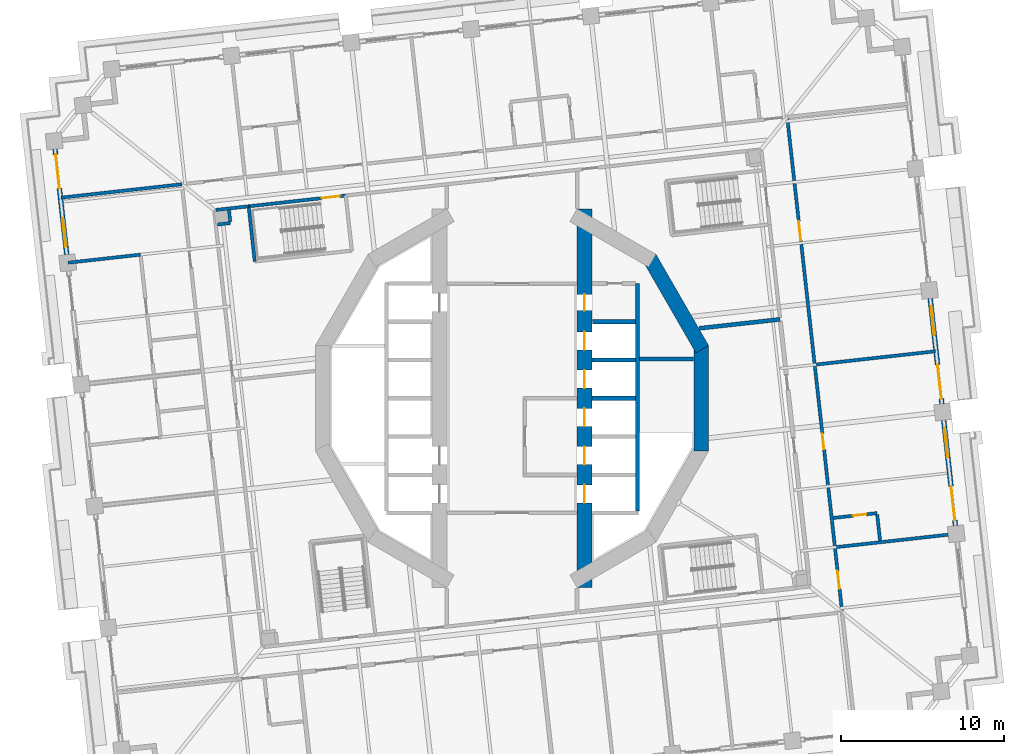
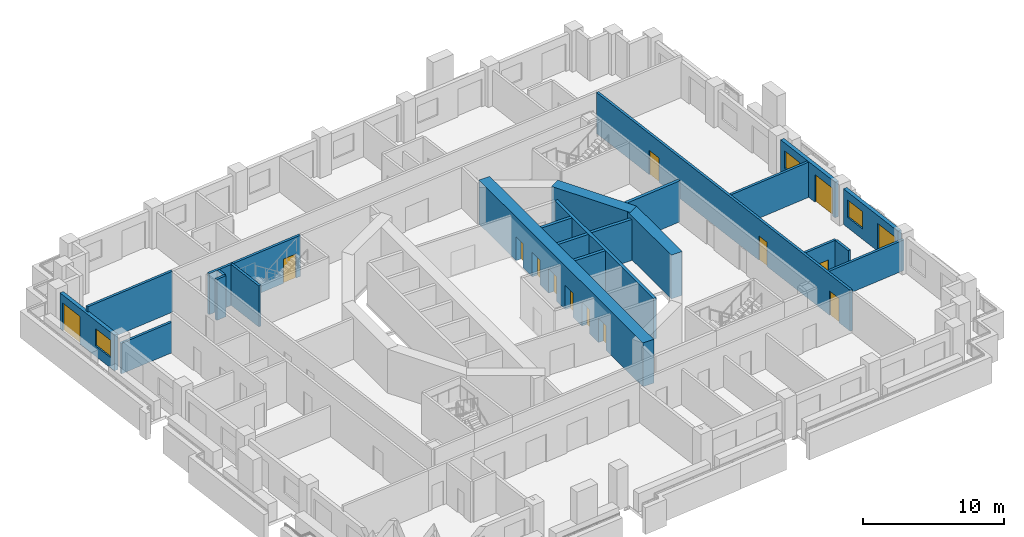
# One storey, part 7 of 18: 24 walls, 14 doors, 3 windows, 17 openings.
"""IFC4 building model written with IfcOpenShell, lengths in metres."""

from ifc_helpers import new_model, si_unit, direction, frame, frame_2d, origin, place, context, subcontext, project, spatial, rectangle, extrude, material, layer, layer_set, type_object, element, fill, save


model = new_model("IFC4")

# Units and contexts
model_context = context("Model", 3, precision=1e-05, world=origin(), true_north=direction((0.0, 1.0)))
body_context = subcontext(model_context, "Body", "Model", "MODEL_VIEW")
ifc_project = project(units=[si_unit("LENGTHUNIT", "METRE"), si_unit("AREAUNIT", "SQUARE_METRE"), si_unit("VOLUMEUNIT", "CUBIC_METRE"), si_unit("PLANEANGLEUNIT", "RADIAN"), si_unit("MASSUNIT", "GRAM", prefix="KILO")], contexts=[model_context])

# Site, building, storey
site_placement = place(None, origin())
site = spatial("IfcSite", under=ifc_project, at=site_placement, CompositionType="ELEMENT")
building_placement = place(site_placement, origin())
building = spatial("IfcBuilding", under=site, at=building_placement, Name="Cantera Rosa Tower", CompositionType="ELEMENT")
storey_placement = place(building_placement, frame((0.0, 0.0, 76.699951171875)))
storey = spatial("IfcBuildingStorey", under=building, at=storey_placement, Name="L16", CompositionType="ELEMENT", Elevation=76.699951171875)

# Wall
ifc_material_1 = material(Name="Gypsum board partition")
ifc_layer_1 = layer(ifc_material_1, 0.199951171875)
ifc_layer_set_1 = layer_set([ifc_layer_1], Name="CORRIDOR WALL 200 H3550")
wall_type_1 = type_object("IfcWallType", Name="CORRIDOR WALL 200 H3550", PredefinedType="PARTITIONING", material=ifc_layer_set_1)
wall_1_placement = place(storey_placement, frame((-16.172607421875, 11.787841796875, 0.0), z_axis=(0.0, 0.0, 1.0), x_axis=(-0.993905752705, -0.110233183482, 0.0)))
element("IfcWall", 1, at=wall_1_placement, inside=storey, type_object=wall_type_1, Name="CORRIDOR WALL L16-017", PredefinedType="PARTITIONING", context=body_context, shape_type="SweptSolid", body=[
    extrude(rectangle(XDim=2.026611328125, YDim=0.199951171875, at=frame_2d((1.01318359375, 0.0))), origin(), (0.0, 0.0, 1.0), 3.550048828125),
])

# Wall, openings, doors
wall_2_placement = place(storey_placement, frame((20.2626953125, -13.04443359375, 0.0), z_axis=(0.0, 0.0, 1.0), x_axis=(-0.110312530755, 0.993896949164, 0.0)))
wall_2 = element("IfcWall", 2, at=wall_2_placement, inside=storey, type_object=wall_type_1, Name="CORRIDOR WALL L16-100", PredefinedType="PARTITIONING", context=body_context, shape_type="SweptSolid", body=[
    extrude(rectangle(XDim=30.400146484375, YDim=0.199951171875, at=frame_2d((15.2001953125, 0.0))), origin(), (0.0, 0.0, 1.0), 3.550048828125),
])
opening_1_placement = place(wall_2_placement, frame((22.8701171875, 0.0, 0.0)))
opening_1 = element("IfcOpeningElement", 3, at=opening_1_placement, cuts=wall_2, Name="Opening L16-016", PredefinedType="OPENING", context=body_context, shape_type="SweptSolid", body=[
    extrude(rectangle(XDim=1.199951171875, YDim=2.10009765625, at=frame_2d((0.60009765625, 1.050048828125))), frame((0.0, 0.10986328125, 0.0), z_axis=(0.0, -1.0, 0.0), x_axis=(1.0, 0.0, 0.0)), (0.0, 0.0, 1.0), 0.219970703125),
])
opening_2_placement = place(wall_2_placement, frame((9.985107421875, 0.0, 0.0)))
opening_2 = element("IfcOpeningElement", 4, at=opening_2_placement, cuts=wall_2, Name="Opening L16-017", PredefinedType="OPENING", context=body_context, shape_type="SweptSolid", body=[
    extrude(rectangle(XDim=0.949951171875, YDim=2.10009765625, at=frame_2d((0.47509765625, 1.050048828125))), frame((0.0, 0.10986328125, 0.0), z_axis=(0.0, -1.0, 0.0), x_axis=(1.0, 0.0, 0.0)), (0.0, 0.0, 1.0), 0.219970703125),
])
opening_3_placement = place(wall_2_placement, frame((1.360107421875, 0.0, 0.0)))
opening_3 = element("IfcOpeningElement", 5, at=opening_3_placement, cuts=wall_2, Name="Opening L16-019", PredefinedType="OPENING", context=body_context, shape_type="SweptSolid", body=[
    extrude(rectangle(XDim=1.10009765625, YDim=2.10009765625, at=frame_2d((0.550048828125, 1.050048828125))), frame((0.0, 0.10986328125, 0.0), z_axis=(0.0, -1.0, 0.0), x_axis=(1.0, 0.0, 0.0)), (0.0, 0.0, 1.0), 0.219970703125),
])
ifc_material_2 = material(Name="Timber door leaf", Category="wood")
door_type_1 = type_object("IfcDoorType", Name="ROOM DOOR 1100x2100", OperationType="NOTDEFINED", PredefinedType="DOOR", material=ifc_material_2)
door_1_placement = place(opening_3_placement, origin())
door_1 = element("IfcDoor", 6, at=door_1_placement, inside=storey, type_object=door_type_1, Name="DOOR L16-019", OperationType="NOTDEFINED", OverallHeight=2.10009765625, OverallWidth=1.10009765625, PredefinedType="DOOR", context=body_context, shape_type="SweptSolid", body=[
    extrude(rectangle(XDim=1.10009765625, YDim=2.10009765625, at=frame_2d((0.550048828125, 1.050048828125))), frame((0.0, 0.02490234375, 0.0), z_axis=(0.0, -1.0, 0.0), x_axis=(1.0, 0.0, 0.0)), (0.0, 0.0, 1.0), 0.050048828125),
])
fill(opening_3, door_1)
ifc_material_3 = material(Name="Timber door leaf", Category="wood")
door_type_2 = type_object("IfcDoorType", Name="ROOM DOOR 1200x2100", OperationType="NOTDEFINED", PredefinedType="DOOR", material=ifc_material_3)
door_2_placement = place(opening_1_placement, origin())
door_2 = element("IfcDoor", 7, at=door_2_placement, inside=storey, type_object=door_type_2, Name="DOOR L16-016", OperationType="NOTDEFINED", OverallHeight=2.10009765625, OverallWidth=1.199951171875, PredefinedType="DOOR", context=body_context, shape_type="SweptSolid", body=[
    extrude(rectangle(XDim=1.199951171875, YDim=2.10009765625, at=frame_2d((0.60009765625, 1.050048828125))), frame((0.0, 0.02490234375, 0.0), z_axis=(0.0, -1.0, 0.0), x_axis=(1.0, 0.0, 0.0)), (0.0, 0.0, 1.0), 0.050048828125),
])
fill(opening_1, door_2)
ifc_material_4 = material(Name="Timber door leaf", Category="wood")
door_type_3 = type_object("IfcDoorType", Name="ROOM DOOR 950x2100", OperationType="NOTDEFINED", PredefinedType="DOOR", material=ifc_material_4)
door_3_placement = place(opening_2_placement, origin())
door_3 = element("IfcDoor", 8, at=door_3_placement, inside=storey, type_object=door_type_3, Name="DOOR L16-017", OperationType="NOTDEFINED", OverallHeight=2.10009765625, OverallWidth=0.949951171875, PredefinedType="DOOR", context=body_context, shape_type="SweptSolid", body=[
    extrude(rectangle(XDim=0.949951171875, YDim=2.10009765625, at=frame_2d((0.47509765625, 1.050048828125))), frame((0.0, 0.02490234375, 0.0), z_axis=(0.0, -1.0, 0.0), x_axis=(1.0, 0.0, 0.0)), (0.0, 0.0, 1.0), 0.050048828125),
])
fill(opening_2, door_3)

# Wall, openings, window, door
ifc_material_5 = material(Name="Hollow clay masonry with cantera stone cladding", Category="masonry")
ifc_layer_2 = layer(ifc_material_5, 0.300048828125)
ifc_layer_set_2 = layer_set([ifc_layer_2], Name="EW-LOGGIA 300 H3090")
wall_type_2 = type_object("IfcWallType", Name="EW-LOGGIA 300 H3090", PredefinedType="SOLIDWALL", material=ifc_layer_set_2)
wall_3_placement = place(storey_placement, frame((27.229248046875, -7.823974609375, 0.0), z_axis=(0.0, 0.0, 1.0), x_axis=(-0.110312341265, 0.993896970196, 0.0)))
wall_3 = element("IfcWall", 9, at=wall_3_placement, inside=storey, type_object=wall_type_2, Name="EN-L16-W02", PredefinedType="SOLIDWALL", context=body_context, shape_type="SweptSolid", body=[
    extrude(rectangle(XDim=6.52001953125, YDim=0.300048828125, at=frame_2d((3.260009765625, 0.0))), origin(), (0.0, 0.0, 1.0), 3.090087890625),
])
opening_4_placement = place(wall_3_placement, frame((0.330078125, 0.0, 0.0)))
opening_4 = element("IfcOpeningElement", 10, at=opening_4_placement, cuts=wall_3, Name="Opening L16-TD03", PredefinedType="OPENING", context=body_context, shape_type="SweptSolid", body=[
    extrude(rectangle(XDim=2.10009765625, YDim=2.39990234375, at=frame_2d((1.050048828125, 1.199951171875))), frame((0.0, 0.159912109375, 0.0), z_axis=(0.0, -1.0, 0.0), x_axis=(1.0, 0.0, 0.0)), (0.0, 0.0, 1.0), 0.320068359375),
])
opening_5_placement = place(wall_3_placement, frame((4.239990234375, 0.0, 0.89990234375)))
opening_5 = element("IfcOpeningElement", 11, at=opening_5_placement, cuts=wall_3, Name="Opening L16-W04", PredefinedType="OPENING", context=body_context, shape_type="SweptSolid", body=[
    extrude(rectangle(XDim=1.800048828125, YDim=1.5, at=frame_2d((0.89990234375, 0.75))), frame((0.0, 0.159912109375, 0.0), z_axis=(0.0, -1.0, 0.0), x_axis=(1.0, 0.0, 0.0)), (0.0, 0.0, 1.0), 0.320068359375),
])
ifc_material_6 = material(Name="Aluminium frame with clear glass", Category="aluminium")
window_type = type_object("IfcWindowType", Name="Hotel room window 1800x1500", PartitioningType="DOUBLE_PANEL_VERTICAL", PredefinedType="WINDOW", material=ifc_material_6)
window_1_placement = place(opening_5_placement, origin())
window_1 = element("IfcWindow", 12, at=window_1_placement, inside=storey, type_object=window_type, Name="WINDOW L16-W04", OverallHeight=1.5, OverallWidth=1.800048828125, PartitioningType="SINGLE_PANEL", PredefinedType="WINDOW", context=body_context, shape_type="SweptSolid", body=[
    extrude(rectangle(XDim=1.800048828125, YDim=1.5, at=frame_2d((0.89990234375, 0.75))), frame((0.0, 0.030029296875, 0.0), z_axis=(0.0, -1.0, 0.0), x_axis=(1.0, 0.0, 0.0)), (0.0, 0.0, 1.0), 0.06005859375),
])
fill(opening_5, window_1)
ifc_material_7 = material(Name="Aluminium frame with clear glass", Category="aluminium")
door_type_4 = type_object("IfcDoorType", Name="TD-H 2100x2400", OperationType="NOTDEFINED", PredefinedType="DOOR", material=ifc_material_7)
door_4_placement = place(opening_4_placement, origin())
door_4 = element("IfcDoor", 13, at=door_4_placement, inside=storey, type_object=door_type_4, Name="LOGGIA DOOR L16-TD03", OperationType="SLIDING_TO_LEFT", OverallHeight=2.39990234375, OverallWidth=2.10009765625, PredefinedType="DOOR", context=body_context, shape_type="SweptSolid", body=[
    extrude(rectangle(XDim=2.10009765625, YDim=2.39990234375, at=frame_2d((1.050048828125, 1.199951171875))), frame((0.0, 0.02490234375, 0.0), z_axis=(0.0, -1.0, 0.0), x_axis=(1.0, 0.0, 0.0)), (0.0, 0.0, 1.0), 0.050048828125),
])
fill(opening_4, door_4)

wall_4_placement = place(storey_placement, frame((26.399658203125, -0.349853515625, 0.0), z_axis=(0.0, 0.0, 1.0), x_axis=(-0.110312341265, 0.993896970196, 0.0)))
wall_4 = element("IfcWall", 14, at=wall_4_placement, inside=storey, type_object=wall_type_2, Name="EN-L16-W03", PredefinedType="SOLIDWALL", context=body_context, shape_type="SweptSolid", body=[
    extrude(rectangle(XDim=6.52001953125, YDim=0.300048828125, at=frame_2d((3.260009765625, 0.0))), origin(), (0.0, 0.0, 1.0), 3.090087890625),
])
opening_6_placement = place(wall_4_placement, frame((0.330078125, 0.0, 0.0)))
opening_6 = element("IfcOpeningElement", 15, at=opening_6_placement, cuts=wall_4, Name="Opening L16-TD05", PredefinedType="OPENING", context=body_context, shape_type="SweptSolid", body=[
    extrude(rectangle(XDim=2.10009765625, YDim=2.39990234375, at=frame_2d((1.050048828125, 1.199951171875))), frame((0.0, 0.159912109375, 0.0), z_axis=(0.0, -1.0, 0.0), x_axis=(1.0, 0.0, 0.0)), (0.0, 0.0, 1.0), 0.320068359375),
])
opening_7_placement = place(wall_4_placement, frame((4.239990234375, 0.0, 0.89990234375)))
opening_7 = element("IfcOpeningElement", 16, at=opening_7_placement, cuts=wall_4, Name="Opening L16-W06", PredefinedType="OPENING", context=body_context, shape_type="SweptSolid", body=[
    extrude(rectangle(XDim=1.800048828125, YDim=1.5, at=frame_2d((0.89990234375, 0.75))), frame((0.0, 0.159912109375, 0.0), z_axis=(0.0, -1.0, 0.0), x_axis=(1.0, 0.0, 0.0)), (0.0, 0.0, 1.0), 0.320068359375),
])
window_2_placement = place(opening_7_placement, origin())
window_2 = element("IfcWindow", 17, at=window_2_placement, inside=storey, type_object=window_type, Name="WINDOW L16-W06", OverallHeight=1.5, OverallWidth=1.800048828125, PartitioningType="SINGLE_PANEL", PredefinedType="WINDOW", context=body_context, shape_type="SweptSolid", body=[
    extrude(rectangle(XDim=1.800048828125, YDim=1.5, at=frame_2d((0.89990234375, 0.75))), frame((0.0, 0.030029296875, 0.0), z_axis=(0.0, -1.0, 0.0), x_axis=(1.0, 0.0, 0.0)), (0.0, 0.0, 1.0), 0.06005859375),
])
fill(opening_7, window_2)
door_5_placement = place(opening_6_placement, origin())
door_5 = element("IfcDoor", 18, at=door_5_placement, inside=storey, type_object=door_type_4, Name="LOGGIA DOOR L16-TD05", OperationType="SLIDING_TO_LEFT", OverallHeight=2.39990234375, OverallWidth=2.10009765625, PredefinedType="DOOR", context=body_context, shape_type="SweptSolid", body=[
    extrude(rectangle(XDim=2.10009765625, YDim=2.39990234375, at=frame_2d((1.050048828125, 1.199951171875))), frame((0.0, 0.02490234375, 0.0), z_axis=(0.0, -1.0, 0.0), x_axis=(1.0, 0.0, 0.0)), (0.0, 0.0, 1.0), 0.050048828125),
])
fill(opening_6, door_5)

wall_5_placement = place(storey_placement, frame((-28.058837890625, 15.298095703125, 0.0), z_axis=(0.0, 0.0, 1.0), x_axis=(0.110312341265, -0.993896970196, 0.0)))
wall_5 = element("IfcWall", 19, at=wall_5_placement, inside=storey, type_object=wall_type_2, Name="EN-L16-W16", PredefinedType="SOLIDWALL", context=body_context, shape_type="SweptSolid", body=[
    extrude(rectangle(XDim=6.52001953125, YDim=0.300048828125, at=frame_2d((3.260009765625, 0.0))), origin(), (0.0, 0.0, 1.0), 3.090087890625),
])
opening_8_placement = place(wall_5_placement, frame((0.330078125, 0.0, 0.0)))
opening_8 = element("IfcOpeningElement", 20, at=opening_8_placement, cuts=wall_5, Name="Opening L16-TD23", PredefinedType="OPENING", context=body_context, shape_type="SweptSolid", body=[
    extrude(rectangle(XDim=2.10009765625, YDim=2.39990234375, at=frame_2d((1.050048828125, 1.199951171875))), frame((0.0, 0.159912109375, 0.0), z_axis=(0.0, -1.0, 0.0), x_axis=(1.0, 0.0, 0.0)), (0.0, 0.0, 1.0), 0.320068359375),
])
opening_9_placement = place(wall_5_placement, frame((4.239990234375, 0.0, 0.89990234375)))
opening_9 = element("IfcOpeningElement", 21, at=opening_9_placement, cuts=wall_5, Name="Opening L16-W24", PredefinedType="OPENING", context=body_context, shape_type="SweptSolid", body=[
    extrude(rectangle(XDim=1.800048828125, YDim=1.5, at=frame_2d((0.89990234375, 0.75))), frame((0.0, 0.159912109375, 0.0), z_axis=(0.0, -1.0, 0.0), x_axis=(1.0, 0.0, 0.0)), (0.0, 0.0, 1.0), 0.320068359375),
])
window_3_placement = place(opening_9_placement, origin())
window_3 = element("IfcWindow", 22, at=window_3_placement, inside=storey, type_object=window_type, Name="WINDOW L16-W24", OverallHeight=1.5, OverallWidth=1.800048828125, PartitioningType="SINGLE_PANEL", PredefinedType="WINDOW", context=body_context, shape_type="SweptSolid", body=[
    extrude(rectangle(XDim=1.800048828125, YDim=1.5, at=frame_2d((0.89990234375, 0.75))), frame((0.0, 0.030029296875, 0.0), z_axis=(0.0, -1.0, 0.0), x_axis=(1.0, 0.0, 0.0)), (0.0, 0.0, 1.0), 0.06005859375),
])
fill(opening_9, window_3)
door_6_placement = place(opening_8_placement, origin())
door_6 = element("IfcDoor", 23, at=door_6_placement, inside=storey, type_object=door_type_4, Name="LOGGIA DOOR L16-TD23", OperationType="SLIDING_TO_LEFT", OverallHeight=2.39990234375, OverallWidth=2.10009765625, PredefinedType="DOOR", context=body_context, shape_type="SweptSolid", body=[
    extrude(rectangle(XDim=2.10009765625, YDim=2.39990234375, at=frame_2d((1.050048828125, 1.199951171875))), frame((0.0, 0.02490234375, 0.0), z_axis=(0.0, -1.0, 0.0), x_axis=(1.0, 0.0, 0.0)), (0.0, 0.0, 1.0), 0.050048828125),
])
fill(opening_8, door_6)

# Walls
ifc_material_8 = material(Name="Gypsum board partition")
ifc_layer_3 = layer(ifc_material_8, 0.199951171875)
ifc_layer_set_3 = layer_set([ifc_layer_3], Name="PARTITION 200 H2650")
wall_type_3 = type_object("IfcWallType", Name="PARTITION 200 H2650", PredefinedType="PARTITIONING", material=ifc_layer_set_3)
wall_6_placement = place(storey_placement, frame((-27.254638671875, 8.32421875, 0.0), z_axis=(0.0, 0.0, 1.0), x_axis=(0.993895052822, 0.11032961514, 0.0)))
element("IfcWall", 24, at=wall_6_placement, inside=storey, type_object=wall_type_3, Name="PARTITION L16-001", PredefinedType="PARTITIONING", context=body_context, shape_type="SweptSolid", body=[
    extrude(rectangle(XDim=4.469970703125, YDim=0.199951171875, at=frame_2d((2.23486328125, 0.0))), origin(), (0.0, 0.0, 1.0), 2.650146484375),
])
ifc_material_9 = material(Name="Gypsum board partition")
ifc_layer_4 = layer(ifc_material_9, 0.199951171875)
ifc_layer_set_4 = layer_set([ifc_layer_4], Name="PARTITION 200 H3550")
wall_type_4 = type_object("IfcWallType", Name="PARTITION 200 H3550", PredefinedType="PARTITIONING", material=ifc_layer_set_4)
wall_7_placement = place(storey_placement, frame((-18.08740234375, 10.669921875, 0.0), z_axis=(0.0, 0.0, 1.0), x_axis=(0.993913470482, 0.110163574714, 0.0)))
element("IfcWall", 25, at=wall_7_placement, inside=storey, type_object=wall_type_4, Name="PARTITION L16-011", PredefinedType="PARTITIONING", context=body_context, shape_type="SweptSolid", body=[
    extrude(rectangle(XDim=0.800048828125, YDim=0.199951171875, at=frame_2d((0.39990234375, 0.0))), origin(), (0.0, 0.0, 1.0), 3.550048828125),
])
wall_8_placement = place(storey_placement, frame((-17.30322265625, 10.857421875, 0.0), z_axis=(0.0, 0.0, 1.0), x_axis=(-0.110546349969, 0.993870969748, 0.0)))
element("IfcWall", 26, at=wall_8_placement, inside=storey, type_object=wall_type_4, Name="PARTITION L16-013", PredefinedType="PARTITIONING", context=body_context, shape_type="SweptSolid", body=[
    extrude(rectangle(XDim=0.7001953125, YDim=0.199951171875, at=frame_2d((0.35009765625, 0.0))), origin(), (0.0, 0.0, 1.0), 3.550048828125),
])

# Wall, opening, door
wall_9_placement = place(storey_placement, frame((19.73095703125, -7.348388671875, 0.0), z_axis=(0.0, 0.0, 1.0), x_axis=(0.993887042245, 0.110401753874, 0.0)))
wall_9 = element("IfcWall", 27, at=wall_9_placement, inside=storey, type_object=wall_type_4, Name="PARTITION L16-099", PredefinedType="PARTITIONING", context=body_context, shape_type="SweptSolid", body=[
    extrude(rectangle(XDim=2.7001953125, YDim=0.199951171875, at=frame_2d((1.35009765625, 0.0))), origin(), (0.0, 0.0, 1.0), 3.550048828125),
])
opening_10_placement = place(wall_9_placement, frame((1.236083984375, 0.0, 0.0)))
opening_10 = element("IfcOpeningElement", 28, at=opening_10_placement, cuts=wall_9, Name="Opening L16-018", PredefinedType="OPENING", context=body_context, shape_type="SweptSolid", body=[
    extrude(rectangle(XDim=0.800048828125, YDim=2.10009765625, at=frame_2d((0.39990234375, 1.050048828125))), frame((0.0, 0.10986328125, 0.0), z_axis=(0.0, -1.0, 0.0), x_axis=(1.0, 0.0, 0.0)), (0.0, 0.0, 1.0), 0.219970703125),
])
ifc_material_10 = material(Name="Timber door leaf", Category="wood")
door_type_5 = type_object("IfcDoorType", Name="BATHROOM DOOR 800x2100", OperationType="NOTDEFINED", PredefinedType="DOOR", material=ifc_material_10)
door_7_placement = place(opening_10_placement, origin())
door_7 = element("IfcDoor", 29, at=door_7_placement, inside=storey, type_object=door_type_5, Name="DOOR L16-018", OperationType="NOTDEFINED", OverallHeight=2.10009765625, OverallWidth=0.800048828125, PredefinedType="DOOR", context=body_context, shape_type="SweptSolid", body=[
    extrude(rectangle(XDim=0.800048828125, YDim=2.10009765625, at=frame_2d((0.39990234375, 1.050048828125))), frame((0.0, 0.02490234375, 0.0), z_axis=(0.0, -1.0, 0.0), x_axis=(1.0, 0.0, 0.0)), (0.0, 0.0, 1.0), 0.050048828125),
])
fill(opening_10, door_7)

# Walls
wall_10_placement = place(storey_placement, frame((22.425537109375, -7.14990234375, 0.0), z_axis=(0.0, 0.0, 1.0), x_axis=(0.110331031706, -0.993894895571, 0.0)))
element("IfcWall", 30, at=wall_10_placement, inside=storey, type_object=wall_type_4, Name="PARTITION L16-102", PredefinedType="PARTITIONING", context=body_context, shape_type="SweptSolid", body=[
    extrude(rectangle(XDim=1.599853515625, YDim=0.199951171875, at=frame_2d((0.7998046875, 0.0))), origin(), (0.0, 0.0, 1.0), 3.550048828125),
])
ifc_material_11 = material(Name="Gypsum board partition")
ifc_layer_5 = layer(ifc_material_11, 0.199951171875)
ifc_layer_set_5 = layer_set([ifc_layer_5], Name="PARTY WALL 200 H2650")
wall_type_5 = type_object("IfcWallType", Name="PARTY WALL 200 H2650", PredefinedType="PARTITIONING", material=ifc_layer_set_5)
wall_11_placement = place(storey_placement, frame((27.254638671875, -8.32421875, 0.0), z_axis=(0.0, 0.0, 1.0), x_axis=(-0.993897058864, -0.11031154238, 0.0)))
element("IfcWall", 31, at=wall_11_placement, inside=storey, type_object=wall_type_5, Name="PARTY WALL L16-103", PredefinedType="PARTITIONING", context=body_context, shape_type="SweptSolid", body=[
    extrude(rectangle(XDim=7.369873046875, YDim=0.199951171875, at=frame_2d((3.68505859375, 0.0))), origin(), (0.0, 0.0, 1.0), 2.650146484375),
])
ifc_material_12 = material(Name="Gypsum board partition")
ifc_layer_6 = layer(ifc_material_12, 0.199951171875)
ifc_layer_set_6 = layer_set([ifc_layer_6], Name="PARTY WALL 200 H3050")
wall_type_6 = type_object("IfcWallType", Name="PARTY WALL 200 H3050", PredefinedType="PARTITIONING", material=ifc_layer_set_6)
wall_12_placement = place(storey_placement, frame((18.685302734375, 2.073974609375, 0.0), z_axis=(0.0, 0.0, 1.0), x_axis=(0.993897058864, 0.11031154238, 0.0)))
element("IfcWall", 32, at=wall_12_placement, inside=storey, type_object=wall_type_6, Name="PARTY WALL L16-098", PredefinedType="PARTITIONING", context=body_context, shape_type="SweptSolid", body=[
    extrude(rectangle(XDim=7.369873046875, YDim=0.199951171875, at=frame_2d((3.68505859375, 0.0))), origin(), (0.0, 0.0, 1.0), 3.050048828125),
])
ifc_material_13 = material(Name="Gypsum board partition")
ifc_layer_7 = layer(ifc_material_13, 0.199951171875)
ifc_layer_set_7 = layer_set([ifc_layer_7], Name="PARTY WALL 200 H3550")
wall_type_7 = type_object("IfcWallType", Name="PARTY WALL 200 H3550", PredefinedType="PARTITIONING", material=ifc_layer_set_7)
wall_13_placement = place(storey_placement, frame((-20.273681640625, 13.143798828125, 0.0), z_axis=(0.0, 0.0, 1.0), x_axis=(-0.993894093242, -0.110338259085, 0.0)))
element("IfcWall", 33, at=wall_13_placement, inside=storey, type_object=wall_type_7, Name="PARTY WALL L16-006", PredefinedType="PARTITIONING", context=body_context, shape_type="SweptSolid", body=[
    extrude(rectangle(XDim=7.469970703125, YDim=0.199951171875, at=frame_2d((3.73486328125, 0.0))), origin(), (0.0, 0.0, 1.0), 3.550048828125),
])
ifc_material_14 = material(Name="Concrete C70/85", Category="concrete")
ifc_layer_8 = layer(ifc_material_14, 0.89990234375)
ifc_layer_set_8 = layer_set([ifc_layer_8], Name="RC CORE WALL 900 C70/85")
wall_type_8 = type_object("IfcWallType", Name="RC CORE WALL 900 C70/85", PredefinedType="SHEAR", material=ifc_layer_set_8)
wall_14_placement = place(storey_placement, frame((8.44921875, 8.61376953125, 0.0), z_axis=(0.0, 0.0, 1.0), x_axis=(0.499990282633, -0.866031014036, 0.0)))
element("IfcWall", 34, at=wall_14_placement, inside=storey, type_object=wall_type_8, Name="CW-E2 L16", PredefinedType="SHEAR", context=body_context, shape_type="SweptSolid", body=[
    extrude(rectangle(XDim=6.470458984375, YDim=0.89990234375, at=frame_2d((3.2353515625, 0.0))), origin(), (0.0, 0.0, 1.0), 3.800048828125),
])
wall_15_placement = place(storey_placement, frame((11.6240234375, 3.2353515625, 0.0), z_axis=(0.0, 0.0, 1.0), x_axis=(0.0, -1.0, 0.0)))
element("IfcWall", 35, at=wall_15_placement, inside=storey, type_object=wall_type_8, Name="CW-E3 L16", PredefinedType="SHEAR", context=body_context, shape_type="SweptSolid", body=[
    extrude(rectangle(XDim=6.470703125, YDim=0.89990234375, at=frame_2d((3.2353515625, 0.0))), origin(), (0.0, 0.0, 1.0), 3.800048828125),
])

# Wall, openings, doors
wall_16_placement = place(storey_placement, frame((4.449951171875, -11.632568359375, 0.0), z_axis=(0.0, 0.0, 1.0), x_axis=(0.0, 1.0, 0.0)))
wall_16 = element("IfcWall", 36, at=wall_16_placement, inside=storey, type_object=wall_type_8, Name="CW-E6 L16", PredefinedType="SHEAR", context=body_context, shape_type="SweptSolid", body=[
    extrude(rectangle(XDim=23.26513671875, YDim=0.89990234375, at=frame_2d((11.632568359375, 0.0))), origin(), (0.0, 0.0, 1.0), 3.800048828125),
])
opening_11_placement = place(wall_16_placement, frame((7.5576171875, 0.0, 0.0)))
opening_11 = element("IfcOpeningElement", 37, at=opening_11_placement, cuts=wall_16, Name="Opening LD-FF1-L16", PredefinedType="OPENING", context=body_context, shape_type="SweptSolid", body=[
    extrude(rectangle(XDim=1.10009765625, YDim=2.10009765625, at=frame_2d((0.550048828125, 1.050048828125))), frame((0.0, 0.4599609375, 0.0), z_axis=(0.0, -1.0, 0.0), x_axis=(1.0, 0.0, 0.0)), (0.0, 0.0, 1.0), 0.919921875),
])
opening_12_placement = place(wall_16_placement, frame((9.907470703125, 0.0, 0.0)))
opening_12 = element("IfcOpeningElement", 38, at=opening_12_placement, cuts=wall_16, Name="Opening LD-FF2-L16", PredefinedType="OPENING", context=body_context, shape_type="SweptSolid", body=[
    extrude(rectangle(XDim=1.10009765625, YDim=2.10009765625, at=frame_2d((0.550048828125, 1.050048828125))), frame((0.0, 0.4599609375, 0.0), z_axis=(0.0, -1.0, 0.0), x_axis=(1.0, 0.0, 0.0)), (0.0, 0.0, 1.0), 0.919921875),
])
opening_13_placement = place(wall_16_placement, frame((12.257568359375, 0.0, 0.0)))
opening_13 = element("IfcOpeningElement", 39, at=opening_13_placement, cuts=wall_16, Name="Opening LD-P1-L16", PredefinedType="OPENING", context=body_context, shape_type="SweptSolid", body=[
    extrude(rectangle(XDim=1.10009765625, YDim=2.10009765625, at=frame_2d((0.550048828125, 1.050048828125))), frame((0.0, 0.4599609375, 0.0), z_axis=(0.0, -1.0, 0.0), x_axis=(1.0, 0.0, 0.0)), (0.0, 0.0, 1.0), 0.919921875),
])
opening_14_placement = place(wall_16_placement, frame((14.607421875, 0.0, 0.0)))
opening_14 = element("IfcOpeningElement", 40, at=opening_14_placement, cuts=wall_16, Name="Opening LD-P2-L16", PredefinedType="OPENING", context=body_context, shape_type="SweptSolid", body=[
    extrude(rectangle(XDim=1.10009765625, YDim=2.10009765625, at=frame_2d((0.550048828125, 1.050048828125))), frame((0.0, 0.4599609375, 0.0), z_axis=(0.0, -1.0, 0.0), x_axis=(1.0, 0.0, 0.0)), (0.0, 0.0, 1.0), 0.919921875),
])
opening_15_placement = place(wall_16_placement, frame((5.20751953125, 0.0, 0.0)))
opening_15 = element("IfcOpeningElement", 41, at=opening_15_placement, cuts=wall_16, Name="Opening LD-P6-L16", PredefinedType="OPENING", context=body_context, shape_type="SweptSolid", body=[
    extrude(rectangle(XDim=1.10009765625, YDim=2.10009765625, at=frame_2d((0.550048828125, 1.050048828125))), frame((0.0, 0.4599609375, 0.0), z_axis=(0.0, -1.0, 0.0), x_axis=(1.0, 0.0, 0.0)), (0.0, 0.0, 1.0), 0.919921875),
])
opening_16_placement = place(wall_16_placement, frame((17.007568359375, 0.0, 0.0)))
opening_16 = element("IfcOpeningElement", 42, at=opening_16_placement, cuts=wall_16, Name="Opening SD-L16-15", PredefinedType="OPENING", context=body_context, shape_type="SweptSolid", body=[
    extrude(rectangle(XDim=1.0, YDim=2.10009765625, at=frame_2d((0.5, 1.050048828125))), frame((0.0, 0.4599609375, 0.0), z_axis=(0.0, -1.0, 0.0), x_axis=(1.0, 0.0, 0.0)), (0.0, 0.0, 1.0), 0.919921875),
])
ifc_material_15 = material(Name="Steel S355J2 (EN 10025-2)", Category="steel")
door_type_6 = type_object("IfcDoorType", Name="LANDING DOOR 1100x2100", OperationType="NOTDEFINED", PredefinedType="DOOR", material=ifc_material_15)
door_8_placement = place(opening_11_placement, origin())
door_8 = element("IfcDoor", 43, at=door_8_placement, inside=storey, type_object=door_type_6, Name="LANDING DOOR FF1 L16", OperationType="SLIDING_TO_LEFT", OverallHeight=2.10009765625, OverallWidth=1.10009765625, PredefinedType="DOOR", context=body_context, shape_type="SweptSolid", body=[
    extrude(rectangle(XDim=1.10009765625, YDim=2.10009765625, at=frame_2d((0.550048828125, 1.050048828125))), frame((0.0, 0.02490234375, 0.0), z_axis=(0.0, -1.0, 0.0), x_axis=(1.0, 0.0, 0.0)), (0.0, 0.0, 1.0), 0.050048828125),
])
fill(opening_11, door_8)
door_9_placement = place(opening_12_placement, origin())
door_9 = element("IfcDoor", 44, at=door_9_placement, inside=storey, type_object=door_type_6, Name="LANDING DOOR FF2 L16", OperationType="SLIDING_TO_LEFT", OverallHeight=2.10009765625, OverallWidth=1.10009765625, PredefinedType="DOOR", context=body_context, shape_type="SweptSolid", body=[
    extrude(rectangle(XDim=1.10009765625, YDim=2.10009765625, at=frame_2d((0.550048828125, 1.050048828125))), frame((0.0, 0.02490234375, 0.0), z_axis=(0.0, -1.0, 0.0), x_axis=(1.0, 0.0, 0.0)), (0.0, 0.0, 1.0), 0.050048828125),
])
fill(opening_12, door_9)
door_10_placement = place(opening_13_placement, origin())
door_10 = element("IfcDoor", 45, at=door_10_placement, inside=storey, type_object=door_type_6, Name="LANDING DOOR P1 L16", OperationType="SLIDING_TO_LEFT", OverallHeight=2.10009765625, OverallWidth=1.10009765625, PredefinedType="DOOR", context=body_context, shape_type="SweptSolid", body=[
    extrude(rectangle(XDim=1.10009765625, YDim=2.10009765625, at=frame_2d((0.550048828125, 1.050048828125))), frame((0.0, 0.02490234375, 0.0), z_axis=(0.0, -1.0, 0.0), x_axis=(1.0, 0.0, 0.0)), (0.0, 0.0, 1.0), 0.050048828125),
])
fill(opening_13, door_10)
door_11_placement = place(opening_14_placement, origin())
door_11 = element("IfcDoor", 46, at=door_11_placement, inside=storey, type_object=door_type_6, Name="LANDING DOOR P2 L16", OperationType="SLIDING_TO_LEFT", OverallHeight=2.10009765625, OverallWidth=1.10009765625, PredefinedType="DOOR", context=body_context, shape_type="SweptSolid", body=[
    extrude(rectangle(XDim=1.10009765625, YDim=2.10009765625, at=frame_2d((0.550048828125, 1.050048828125))), frame((0.0, 0.02490234375, 0.0), z_axis=(0.0, -1.0, 0.0), x_axis=(1.0, 0.0, 0.0)), (0.0, 0.0, 1.0), 0.050048828125),
])
fill(opening_14, door_11)
door_12_placement = place(opening_15_placement, origin())
door_12 = element("IfcDoor", 47, at=door_12_placement, inside=storey, type_object=door_type_6, Name="LANDING DOOR P6 L16", OperationType="SLIDING_TO_LEFT", OverallHeight=2.10009765625, OverallWidth=1.10009765625, PredefinedType="DOOR", context=body_context, shape_type="SweptSolid", body=[
    extrude(rectangle(XDim=1.10009765625, YDim=2.10009765625, at=frame_2d((0.550048828125, 1.050048828125))), frame((0.0, 0.02490234375, 0.0), z_axis=(0.0, -1.0, 0.0), x_axis=(1.0, 0.0, 0.0)), (0.0, 0.0, 1.0), 0.050048828125),
])
fill(opening_15, door_12)
ifc_material_16 = material(Name="Timber door leaf", Category="wood")
door_type_7 = type_object("IfcDoorType", Name="SERVICE DOOR 1000x2100", OperationType="NOTDEFINED", PredefinedType="DOOR", material=ifc_material_16)
door_13_placement = place(opening_16_placement, origin())
door_13 = element("IfcDoor", 48, at=door_13_placement, inside=storey, type_object=door_type_7, Name="DOOR L16-SD15", OperationType="NOTDEFINED", OverallHeight=2.10009765625, OverallWidth=1.0, PredefinedType="DOOR", context=body_context, shape_type="SweptSolid", body=[
    extrude(rectangle(XDim=1.0, YDim=2.10009765625, at=frame_2d((0.5, 1.050048828125))), frame((0.0, 0.02490234375, 0.0), z_axis=(0.0, -1.0, 0.0), x_axis=(1.0, 0.0, 0.0)), (0.0, 0.0, 1.0), 0.050048828125),
])
fill(opening_16, door_13)

# Walls
ifc_material_17 = material(Name="Masonry blockwork", Category="masonry")
ifc_layer_9 = layer(ifc_material_17, 0.25)
ifc_layer_set_9 = layer_set([ifc_layer_9], Name="SHAFT WALL 250 H3550")
wall_type_9 = type_object("IfcWallType", Name="SHAFT WALL 250 H3550", PredefinedType="SOLIDWALL", material=ifc_layer_set_9)
wall_17_placement = place(storey_placement, frame((4.89990234375, 0.0, 0.0), z_axis=(0.0, 0.0, 1.0), x_axis=(1.0, 0.0, 0.0)))
element("IfcWall", 49, at=wall_17_placement, inside=storey, type_object=wall_type_9, Name="SHAFT WALL L16-062", PredefinedType="SOLIDWALL", context=body_context, shape_type="SweptSolid", body=[
    extrude(rectangle(XDim=2.675048828125, YDim=0.25, at=frame_2d((1.33740234375, 0.0))), origin(), (0.0, 0.0, 1.0), 3.550048828125),
])
wall_18_placement = place(storey_placement, frame((7.699951171875, -6.929931640625, 0.0), z_axis=(0.0, 0.0, 1.0), x_axis=(0.0, 1.0, 0.0)))
element("IfcWall", 50, at=wall_18_placement, inside=storey, type_object=wall_type_9, Name="SHAFT WALL L16-065", PredefinedType="SOLIDWALL", context=body_context, shape_type="SweptSolid", body=[
    extrude(rectangle(XDim=13.97998046875, YDim=0.25, at=frame_2d((6.989990234375, 0.0))), origin(), (0.0, 0.0, 1.0), 3.550048828125),
])
wall_19_placement = place(storey_placement, frame((7.574951171875, 2.35009765625, 0.0), z_axis=(0.0, 0.0, 1.0), x_axis=(-1.0, 0.0, 0.0)))
element("IfcWall", 51, at=wall_19_placement, inside=storey, type_object=wall_type_9, Name="SHAFT WALL L16-067", PredefinedType="SOLIDWALL", context=body_context, shape_type="SweptSolid", body=[
    extrude(rectangle(XDim=2.675048828125, YDim=0.25, at=frame_2d((1.33740234375, 0.0))), origin(), (0.0, 0.0, 1.0), 3.550048828125),
])
wall_20_placement = place(storey_placement, frame((7.824951171875, 2.417724609375, 0.0), z_axis=(0.0, 0.0, 1.0), x_axis=(1.0, 0.0, 0.0)))
element("IfcWall", 52, at=wall_20_placement, inside=storey, type_object=wall_type_9, Name="SHAFT WALL L16-068", PredefinedType="SOLIDWALL", context=body_context, shape_type="SweptSolid", body=[
    extrude(rectangle(XDim=3.319091796875, YDim=0.25, at=frame_2d((1.65966796875, 0.0))), origin(), (0.0, 0.0, 1.0), 3.550048828125),
])
wall_21_placement = place(storey_placement, frame((7.574951171875, 4.699951171875, 0.0), z_axis=(0.0, 0.0, 1.0), x_axis=(-1.0, 0.0, 0.0)))
element("IfcWall", 53, at=wall_21_placement, inside=storey, type_object=wall_type_9, Name="SHAFT WALL L16-069", PredefinedType="SOLIDWALL", context=body_context, shape_type="SweptSolid", body=[
    extrude(rectangle(XDim=2.64501953125, YDim=0.25, at=frame_2d((1.322509765625, 0.0))), origin(), (0.0, 0.0, 1.0), 3.550048828125),
])
wall_22_placement = place(storey_placement, frame((16.4658203125, 4.845947265625, 0.0), z_axis=(0.0, 0.0, 1.0), x_axis=(-0.993895640521, -0.110324320767, 0.0)))
element("IfcWall", 54, at=wall_22_placement, inside=storey, type_object=wall_type_9, Name="SHAFT WALL L16-089", PredefinedType="SOLIDWALL", context=body_context, shape_type="SweptSolid", body=[
    extrude(rectangle(XDim=4.9990234375, YDim=0.25, at=frame_2d((2.49951171875, 0.0))), origin(), (0.0, 0.0, 1.0), 3.550048828125),
])
ifc_material_18 = material(Name="Concrete C50/60", Category="concrete")
ifc_layer_10 = layer(ifc_material_18, 0.199951171875)
ifc_layer_set_10 = layer_set([ifc_layer_10], Name="STAIR WALL 200 H3550")
wall_type_10 = type_object("IfcWallType", Name="STAIR WALL 200 H3550", PredefinedType="SOLIDWALL", material=ifc_layer_set_10)
wall_23_placement = place(storey_placement, frame((-16.172607421875, 11.787841796875, 0.0), z_axis=(0.0, 0.0, 1.0), x_axis=(0.110368557057, -0.993890729212, 0.0)))
element("IfcWall", 55, at=wall_23_placement, inside=storey, type_object=wall_type_10, Name="STAIR WALL L16-018", PredefinedType="SOLIDWALL", context=body_context, shape_type="SweptSolid", body=[
    extrude(rectangle(XDim=3.404296875, YDim=0.199951171875, at=frame_2d((1.7021484375, 0.0))), origin(), (0.0, 0.0, 1.0), 3.550048828125),
])

# Wall, opening, door
wall_24_placement = place(storey_placement, frame((-10.208984375, 12.44970703125, 0.0), z_axis=(0.0, 0.0, 1.0), x_axis=(-0.993897620437, -0.11030648254, 0.0)))
wall_24 = element("IfcWall", 56, at=wall_24_placement, inside=storey, type_object=wall_type_10, Name="STAIR WALL L16-032", PredefinedType="SOLIDWALL", context=body_context, shape_type="SweptSolid", body=[
    extrude(rectangle(XDim=6.000244140625, YDim=0.199951171875, at=frame_2d((3.0, 0.0))), origin(), (0.0, 0.0, 1.0), 3.550048828125),
])
opening_17_placement = place(wall_24_placement, frame((0.375, 0.0, 0.0)))
opening_17 = element("IfcOpeningElement", 57, at=opening_17_placement, cuts=wall_24, Name="Opening L16-002", PredefinedType="OPENING", context=body_context, shape_type="SweptSolid", body=[
    extrude(rectangle(XDim=1.10009765625, YDim=2.10009765625, at=frame_2d((0.550048828125, 1.050048828125))), frame((0.0, 0.10986328125, 0.0), z_axis=(0.0, -1.0, 0.0), x_axis=(1.0, 0.0, 0.0)), (0.0, 0.0, 1.0), 0.219970703125),
])
ifc_material_19 = material(Name="Steel S355J2 (EN 10025-2)", Category="steel")
door_type_8 = type_object("IfcDoorType", Name="STAIR DOOR 1100x2100", OperationType="NOTDEFINED", PredefinedType="DOOR", material=ifc_material_19)
door_14_placement = place(opening_17_placement, origin())
door_14 = element("IfcDoor", 58, at=door_14_placement, inside=storey, type_object=door_type_8, Name="DOOR L16-002", OperationType="NOTDEFINED", OverallHeight=2.10009765625, OverallWidth=1.10009765625, PredefinedType="DOOR", context=body_context, shape_type="SweptSolid", body=[
    extrude(rectangle(XDim=1.10009765625, YDim=2.10009765625, at=frame_2d((0.550048828125, 1.050048828125))), frame((0.0, 0.02490234375, 0.0), z_axis=(0.0, -1.0, 0.0), x_axis=(1.0, 0.0, 0.0)), (0.0, 0.0, 1.0), 0.050048828125),
])
fill(opening_17, door_14)

save(model, "model.ifc")
